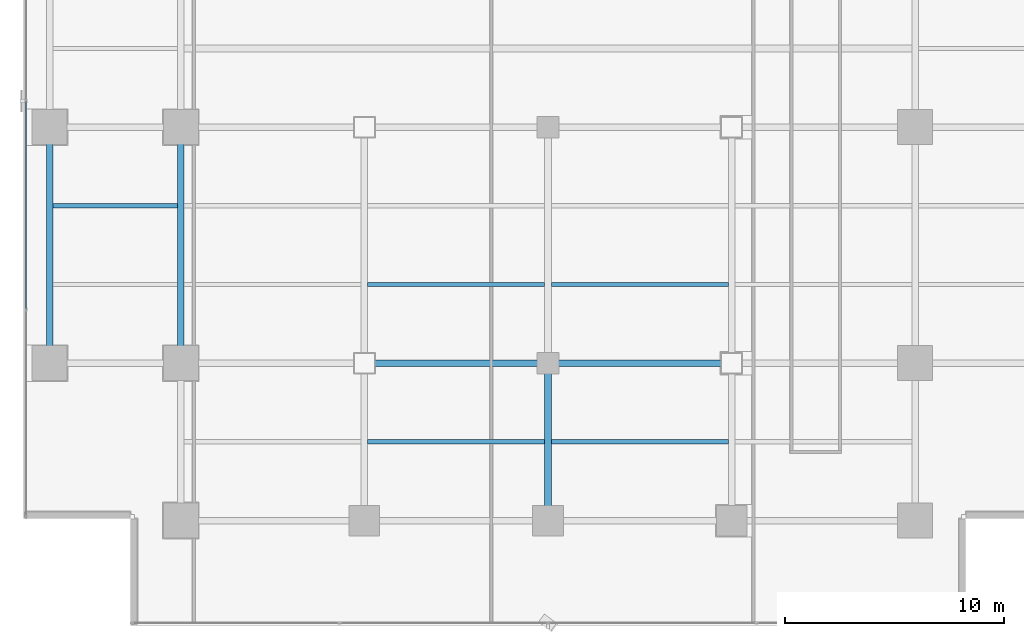
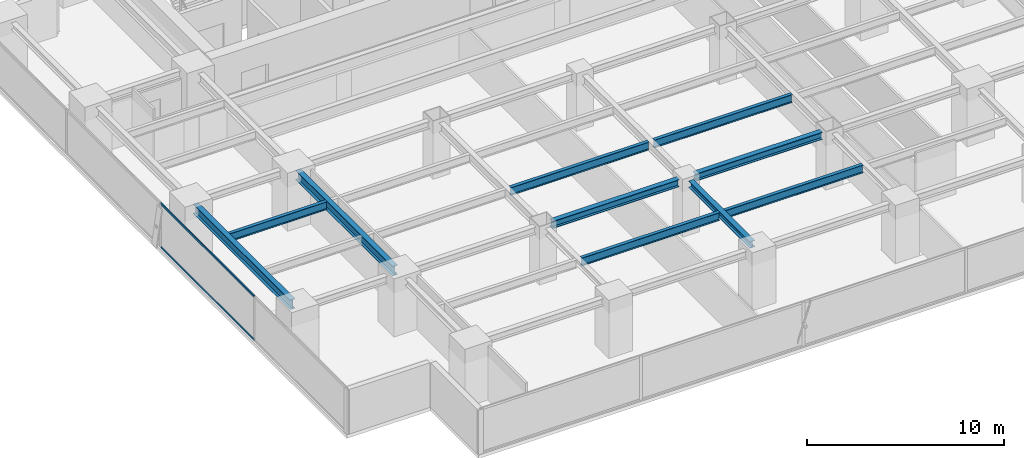
# One storey, part 6 of 27: 10 beams, 2 members, 1 element without a shape of its own.
"""IFC4 building model written with IfcOpenShell, lengths in metres."""

import ifcopenshell
import ifcopenshell.guid

model = None  # the IFC model being written
_history = None  # IfcOwnerHistory: only IFC2X3 demands one
_inside = {}  # id of a spatial element -> (the spatial element, [elements in it])
_under = {}  # id of a project, library or spatial element -> (it, [spatial elements below it])
_declared = {}  # id of a project -> (the project, [libraries it declares])
_typed = {}  # id of a type object -> (the type object, [elements of that type])
_made_of = {}  # id of a material, layer set ... -> (it, [elements and type objects made of it])


def new_model(schema):
    """Start an empty IFC model of exactly this schema.

    Asked for "IFC4X3", IfcOpenShell would pick the latest addendum, in which some entities
    have other attributes; the version numbers below select the first issue.
    IFC2X3 requires an IfcOwnerHistory on every rooted entity: one is made here for all.
    """
    global model, _history
    if schema == "IFC4X3":
        model = ifcopenshell.file(schema_version=(4, 3, 0, 0))
    else:
        model = ifcopenshell.file(schema=schema)
    _inside.clear()
    _under.clear()
    _declared.clear()
    _typed.clear()
    _made_of.clear()
    _history = None
    if model.schema == "IFC2X3":
        org = make("IfcOrganization", Name="unknown")
        user = make(
            "IfcPersonAndOrganization",
            ThePerson=make("IfcPerson", FamilyName="unknown"),
            TheOrganization=org,
        )
        app = make(
            "IfcApplication",
            ApplicationDeveloper=org,
            Version="unknown",
            ApplicationFullName="unknown",
            ApplicationIdentifier="unknown",
        )
        _history = make(
            "IfcOwnerHistory",
            OwningUser=user,
            OwningApplication=app,
            ChangeAction="ADDED",
            CreationDate=0,
        )
    return model


def make(cls, **values):
    """One entity of the class cls with the attributes given. An attribute that is None is left unset."""
    return model.create_entity(
        cls, **{name: value for name, value in values.items() if value is not None}
    )


def rooted(cls, **values):
    """An entity with a GlobalId (a new one), such as an element, a storey or a relation."""
    return make(cls, GlobalId=ifcopenshell.guid.new(), OwnerHistory=_history, **values)


def si_unit(unit_type, name, prefix=None):
    """IfcSIUnit, for example si_unit("LENGTHUNIT", "METRE", prefix="MILLI")."""
    return make("IfcSIUnit", UnitType=unit_type, Prefix=prefix, Name=name)


def assignment(units):
    """IfcUnitAssignment: the units of a project."""
    return None if units is None else make("IfcUnitAssignment", Units=units)


def point(xyz):
    """IfcCartesianPoint."""
    return None if xyz is None else make("IfcCartesianPoint", Coordinates=xyz)


def direction(xyz):
    """IfcDirection."""
    return None if xyz is None else make("IfcDirection", DirectionRatios=xyz)


def frame(location, z_axis=None, x_axis=None):
    """IfcAxis2Placement3D, a coordinate frame: its origin and axes. An axis left out is left unset."""
    return make(
        "IfcAxis2Placement3D",
        Location=point(location),
        Axis=direction(z_axis),
        RefDirection=direction(x_axis),
    )


def frame_2d(location, x_axis=None):
    """IfcAxis2Placement2D, a coordinate frame in the plane: its origin and x axis."""
    return make(
        "IfcAxis2Placement2D", Location=point(location), RefDirection=direction(x_axis)
    )


def origin():
    """The frame at (0, 0, 0) with its axes left unset."""
    return frame((0.0, 0.0, 0.0))


def origin_2d():
    """The frame at (0, 0) in the plane with its x axis left unset."""
    return frame_2d((0.0, 0.0))


def place(relative_to, where):
    """IfcLocalPlacement: puts the frame where relative to a parent placement (None: the world)."""
    return make(
        "IfcLocalPlacement", PlacementRelTo=relative_to, RelativePlacement=where
    )


def context(
    kind, dimensions, precision=None, world=None, true_north=None, identifier=None
):
    """IfcGeometricRepresentationContext, for example the 3D "Model" context."""
    return make(
        "IfcGeometricRepresentationContext",
        ContextIdentifier=identifier,
        ContextType=kind,
        CoordinateSpaceDimension=dimensions,
        Precision=precision,
        WorldCoordinateSystem=world,
        TrueNorth=true_north,
    )


def subcontext(parent, identifier, kind, view, scale=None):
    """IfcGeometricRepresentationSubContext, for example "Body" below "Model"."""
    return make(
        "IfcGeometricRepresentationSubContext",
        ContextIdentifier=identifier,
        ContextType=kind,
        ParentContext=parent,
        TargetScale=scale,
        TargetView=view,
    )


def project(units=None, contexts=None):
    """IfcProject with its units and contexts."""
    return rooted(
        "IfcProject",
        Name="project",
        RepresentationContexts=contexts,
        UnitsInContext=assignment(units),
    )


def spatial(cls, under=None, at=None, **own):
    """A site, building, storey or space (cls), placed at a placement, below another one or the project."""
    s = rooted(cls, ObjectPlacement=at, **own)
    if under is not None:
        _under.setdefault(under.id(), (under, []))[1].append(s)
    return s


def profile(cls, at=None, kind="AREA", **sizes):
    """A parametric profile (cls). Its sizes go by their IFC names, for example OverallWidth=200.0."""
    return make(cls, ProfileType=kind, Position=at, **sizes)


def hollow_rectangle(**sizes):
    """IfcRectangleHollowProfileDef."""
    return profile("IfcRectangleHollowProfileDef", **sizes)


def i_section(**sizes):
    """IfcIShapeProfileDef."""
    return profile("IfcIShapeProfileDef", **sizes)


def extrude(swept, where, along, depth):
    """IfcExtrudedAreaSolid: the profile swept, set in the frame where, extruded along a direction by depth."""
    return make(
        "IfcExtrudedAreaSolid",
        SweptArea=swept,
        Position=where,
        ExtrudedDirection=direction(along),
        Depth=depth,
    )


def shape(context_of_items, identifier, shape_type, items):
    """IfcShapeRepresentation: the items that make up one representation, for example the "Body"."""
    return make(
        "IfcShapeRepresentation",
        ContextOfItems=context_of_items,
        RepresentationIdentifier=identifier,
        RepresentationType=shape_type,
        Items=items,
    )


def source(mapping_origin, context_of_items, identifier, shape_type, items):
    """IfcRepresentationMap: a shape defined once, which mapped items show again and again."""
    return make(
        "IfcRepresentationMap",
        MappingOrigin=mapping_origin,
        MappedRepresentation=shape(context_of_items, identifier, shape_type, items),
    )


def transform(
    local_origin,
    x_axis=None,
    y_axis=None,
    z_axis=None,
    scale=None,
    scale2=None,
    scale3=None,
    uniform=True,
):
    """IfcCartesianTransformationOperator3D, or its non-uniform kind. x_axis, y_axis, z_axis: its Axis1, 2, 3."""
    if uniform:
        return make(
            "IfcCartesianTransformationOperator3D",
            Axis1=direction(x_axis),
            Axis2=direction(y_axis),
            LocalOrigin=point(local_origin),
            Scale=scale,
            Axis3=direction(z_axis),
        )
    return make(
        "IfcCartesianTransformationOperator3DnonUniform",
        Axis1=direction(x_axis),
        Axis2=direction(y_axis),
        LocalOrigin=point(local_origin),
        Scale=scale,
        Axis3=direction(z_axis),
        Scale2=scale2,
        Scale3=scale3,
    )


def mapped(mapping_source, mapping_target):
    """IfcMappedItem: shows the shape of a source again, moved by a transform."""
    return make(
        "IfcMappedItem", MappingSource=mapping_source, MappingTarget=mapping_target
    )


def material(Name=None, Category=None):
    """IfcMaterial."""
    return make("IfcMaterial", Name=Name, Category=Category)


def layer(
    of_material, thickness, ventilated=None, Name=None, Category=None, Priority=None
):
    """IfcMaterialLayer: one layer of a wall or slab, of a material (None: an air gap)."""
    return make(
        "IfcMaterialLayer",
        Material=of_material,
        LayerThickness=thickness,
        IsVentilated=ventilated,
        Name=Name,
        Category=Category,
        Priority=Priority,
    )


def layer_set(layers, Name=None):
    """IfcMaterialLayerSet."""
    return make("IfcMaterialLayerSet", MaterialLayers=layers, LayerSetName=Name)


def material_profile(
    of_material, cross_section, Name=None, Category=None, Priority=None
):
    """IfcMaterialProfile: a cross section and its material."""
    return make(
        "IfcMaterialProfile",
        Name=Name,
        Material=of_material,
        Profile=cross_section,
        Priority=Priority,
        Category=Category,
    )


def profile_set(profiles, Name=None, composite=None):
    """IfcMaterialProfileSet."""
    return make(
        "IfcMaterialProfileSet",
        Name=Name,
        MaterialProfiles=profiles,
        CompositeProfile=composite,
    )


def made_of(thing, what):
    """Note that an element or type object is made of a material, layer set ...; save() writes the relation."""
    if what is not None:
        _made_of.setdefault(what.id(), (what, []))[1].append(thing)
    return thing


def type_object(cls, material=None, **own):
    """A type object (cls), such as IfcWallType, which elements share."""
    return made_of(rooted(cls, **own), material)


def element(
    cls,
    number,
    at=None,
    inside=None,
    cuts=None,
    type_object=None,
    material=None,
    context=None,
    identifier="Body",
    shape_type=None,
    held_by="IfcProductDefinitionShape",
    body=None,
    shapes=None,
    **own,
):
    """One element of the class cls, such as IfcWall. Its Tag is "e" and its number.

    at: its placement. inside: the storey or other place that contains it. cuts: it is an
    opening in that element (IfcRelVoidsElement). A single representation is given by context,
    identifier, shape_type and body (its items); several are given by shapes. held_by: the class
    of the entity that holds the representations. save() writes the other relations.
    """
    e = rooted(cls, Tag="e%d" % number, ObjectPlacement=at, **own)
    if body is not None:
        shapes = [shape(context, identifier, shape_type, body)]
    if shapes is not None:
        e.Representation = make(held_by, Representations=shapes)
    if inside is not None:
        _inside.setdefault(inside.id(), (inside, []))[1].append(e)
    if cuts is not None:
        rooted(
            "IfcRelVoidsElement", RelatingBuildingElement=cuts, RelatedOpeningElement=e
        )
    if type_object is not None:
        _typed.setdefault(type_object.id(), (type_object, []))[1].append(e)
    return made_of(e, material)


def aggregate(whole, parts):
    """IfcRelAggregates: a whole, such as a stair, and the parts it consists of."""
    return rooted("IfcRelAggregates", RelatingObject=whole, RelatedObjects=parts)


def save(model, path):
    """Write the relations noted so far, then the file.

    IfcRelAggregates (storeys below a building ...), IfcRelContainedInSpatialStructure (elements
    in a storey), IfcRelDefinesByType, IfcRelAssociatesMaterial and IfcRelDeclares: one each for
    every whole, place, type object, material and project.
    """
    for whole, parts in _under.values():
        aggregate(whole, parts)
    for where, things in _inside.values():
        rooted(
            "IfcRelContainedInSpatialStructure",
            RelatedElements=things,
            RelatingStructure=where,
        )
    for kind, things in _typed.values():
        rooted("IfcRelDefinesByType", RelatedObjects=things, RelatingType=kind)
    for what, things in _made_of.values():
        rooted("IfcRelAssociatesMaterial", RelatedObjects=things, RelatingMaterial=what)
    for by, libraries in _declared.values():
        rooted("IfcRelDeclares", RelatingContext=by, RelatedDefinitions=libraries)
    model.write(path)


model = new_model("IFC4")

# Units and contexts
model_context = context("Model", 3, precision=1e-05, world=origin(), true_north=direction((0.0, 1.0)))
body_context = subcontext(model_context, "Body", "Model", "MODEL_VIEW")
ifc_project = project(units=[si_unit("LENGTHUNIT", "METRE"), si_unit("AREAUNIT", "SQUARE_METRE"), si_unit("VOLUMEUNIT", "CUBIC_METRE"), si_unit("PLANEANGLEUNIT", "RADIAN"), si_unit("MASSUNIT", "GRAM", prefix="KILO")], contexts=[model_context])

# Site, building, storey
site_placement = place(None, origin())
site = spatial("IfcSite", under=ifc_project, at=site_placement, CompositionType="ELEMENT")
building_placement = place(site_placement, origin())
building = spatial("IfcBuilding", under=site, at=building_placement, Name="Sumidabori Civic Tower", CompositionType="ELEMENT")
storey_placement = place(building_placement, frame((0.0, 0.0, 135.199951171875)))
storey = spatial("IfcBuildingStorey", under=building, at=storey_placement, Name="L34", CompositionType="ELEMENT", Elevation=135.199951171875)

# Beams
ifc_material_1 = material(Name="Steel SN490", Category="steel")
ifc_material_profile_1 = material_profile(ifc_material_1, i_section(OverallWidth=0.300048828125, OverallDepth=0.39990234375, WebThickness=0.013427734375, FlangeThickness=0.02392578125, at=origin_2d()), Name="HE 400 B")
ifc_profile_set_1 = profile_set([ifc_material_profile_1], Name="Steel SN490")
beam_type_1 = type_object("IfcBeamType", Name="BM-GIRD-400", PredefinedType="BEAM", material=ifc_profile_set_1)
shared_shape_1 = source(origin(), body_context, "Body", "SweptSolid", [
    extrude(i_section(OverallWidth=0.300048828125, OverallDepth=0.39990234375, WebThickness=0.013427734375, FlangeThickness=0.02392578125, at=origin_2d()), origin(), (0.0, 0.0, 1.0), 6.239990234375),
])
beam_1_placement = place(storey_placement, frame((0.0, -17.52001953125, 3.179931640625), z_axis=(0.0, 1.0, 0.0), x_axis=(-1.0, 0.0, 0.0)))
element("IfcBeam", 1, at=beam_1_placement, inside=storey, type_object=beam_type_1, Name="Primary Girder L34 GY-28", PredefinedType="BEAM", context=body_context, shape_type="MappedRepresentation", body=[
    mapped(shared_shape_1, transform((0.0, 0.0, 0.0), x_axis=(1.0, 0.0, 0.0), y_axis=(0.0, 1.0, 0.0), z_axis=(0.0, 0.0, 1.0), scale=1.0)),
])
ifc_material_profile_2 = material_profile(ifc_material_1, i_section(OverallWidth=0.300048828125, OverallDepth=0.60009765625, WebThickness=0.015380859375, FlangeThickness=0.030029296875, at=origin_2d()), Name="HE 600 B")
ifc_profile_set_2 = profile_set([ifc_material_profile_2], Name="Steel SN490")
beam_type_2 = type_object("IfcBeamType", Name="BM-GIRD-600", PredefinedType="BEAM", material=ifc_profile_set_2)
shared_shape_2 = source(origin(), body_context, "Body", "SweptSolid", [
    extrude(i_section(OverallWidth=0.300048828125, OverallDepth=0.60009765625, WebThickness=0.015380859375, FlangeThickness=0.030029296875, at=origin_2d()), origin(), (0.0, 0.0, 1.0), 9.840087890625),
])
for number, where, z_axis, x_axis, name in (
    (2, (-22.800048828125, -10.320068359375, 3.080078125), (0.0, 1.0, 0.0), (-1.0, 0.0, 0.0), "Primary Girder L34 GY-19"),
    (3, (-16.800048828125, -10.320068359375, 3.080078125), (0.0, 1.0, 0.0), (-1.0, 0.0, 0.0), "Primary Girder L34 GY-23"),
):
    element("IfcBeam", number, at=place(storey_placement, frame(where, z_axis=z_axis, x_axis=x_axis)), inside=storey, type_object=beam_type_2, Name=name, PredefinedType="BEAM", context=body_context, shape_type="MappedRepresentation", body=[
        mapped(shared_shape_2, transform((0.0, 0.0, 0.0), x_axis=(1.0, 0.0, 0.0), y_axis=(0.0, 1.0, 0.0), z_axis=(0.0, 0.0, 1.0), scale=1.0)),
    ])
ifc_material_profile_3 = material_profile(ifc_material_1, i_section(OverallWidth=0.199951171875, OverallDepth=0.5, WebThickness=0.01025390625, FlangeThickness=0.01611328125, at=origin_2d()), Name="IPE 500")
ifc_profile_set_3 = profile_set([ifc_material_profile_3], Name="Steel SN490")
beam_type_3 = type_object("IfcBeamType", Name="BM-JST-500", PredefinedType="JOIST", material=ifc_profile_set_3)
shared_shape_3 = source(origin(), body_context, "Body", "SweptSolid", [
    extrude(i_section(OverallWidth=0.199951171875, OverallDepth=0.5, WebThickness=0.01025390625, FlangeThickness=0.01611328125, at=origin_2d()), origin(), (0.0, 0.0, 1.0), 5.699951171875),
])
beam_2_placement = place(storey_placement, frame((-22.64990234375, -3.60009765625, 3.130126953125), z_axis=(1.0, 0.0, 0.0), x_axis=(0.0, 1.0, 0.0)))
element("IfcBeam", 4, at=beam_2_placement, inside=storey, type_object=beam_type_3, Name="Outer Bay Floor Joist L34 JSTO-41", PredefinedType="JOIST", context=body_context, shape_type="MappedRepresentation", body=[
    mapped(shared_shape_3, transform((0.0, 0.0, 0.0), x_axis=(1.0, 0.0, 0.0), y_axis=(0.0, 1.0, 0.0), z_axis=(0.0, 0.0, 1.0), scale=1.0)),
])
shared_shape_4 = source(origin(), body_context, "Body", "SweptSolid", [
    extrude(i_section(OverallWidth=0.199951171875, OverallDepth=0.5, WebThickness=0.01025390625, FlangeThickness=0.01611328125, at=origin_2d()), origin(), (0.0, 0.0, 1.0), 8.10009765625),
])
for number, where, z_axis, x_axis, name in (
    (5, (-8.25, -14.39990234375, 3.130126953125), (1.0, 0.0, 0.0), (0.0, 1.0, 0.0), "South Bay Floor Joist L34 JSTS-50"),
    (6, (0.14990234375, -14.39990234375, 3.130126953125), (1.0, 0.0, 0.0), (0.0, 1.0, 0.0), "South Bay Floor Joist L34 JSTS-51"),
    (7, (-8.25, -7.199951171875, 3.130126953125), (1.0, 0.0, 0.0), (0.0, 1.0, 0.0), "South Bay Floor Joist L34 JSTS-54"),
    (8, (0.14990234375, -7.199951171875, 3.130126953125), (1.0, 0.0, 0.0), (0.0, 1.0, 0.0), "South Bay Floor Joist L34 JSTS-55"),
):
    element("IfcBeam", number, at=place(storey_placement, frame(where, z_axis=z_axis, x_axis=x_axis)), inside=storey, type_object=beam_type_3, Name=name, PredefinedType="JOIST", context=body_context, shape_type="MappedRepresentation", body=[
        mapped(shared_shape_4, transform((0.0, 0.0, 0.0), x_axis=(1.0, 0.0, 0.0), y_axis=(0.0, 1.0, 0.0), z_axis=(0.0, 0.0, 1.0), scale=1.0)),
    ])
ifc_material_profile_4 = material_profile(ifc_material_1, i_section(OverallWidth=0.300048828125, OverallDepth=0.449951171875, WebThickness=0.013916015625, FlangeThickness=0.02587890625, at=origin_2d()), Name="HE 450 B")
ifc_profile_set_4 = profile_set([ifc_material_profile_4], Name="Steel SN490")
beam_type_4 = type_object("IfcBeamType", Name="BM-GIRD-450", PredefinedType="BEAM", material=ifc_profile_set_4)
shared_shape_5 = source(origin(), body_context, "Body", "SweptSolid", [
    extrude(i_section(OverallWidth=0.300048828125, OverallDepth=0.449951171875, WebThickness=0.013916015625, FlangeThickness=0.02587890625, at=origin_2d()), origin(), (0.0, 0.0, 1.0), 7.43994140625),
])
for number, where, z_axis, x_axis, name in (
    (9, (-7.919921875, -10.800048828125, 3.155029296875), (1.0, 0.0, 0.0), (0.0, 1.0, 0.0), "Primary Girder L34 GX-07"),
    (10, (0.47998046875, -10.800048828125, 3.155029296875), (1.0, 0.0, 0.0), (0.0, 1.0, 0.0), "Primary Girder L34 GX-08"),
):
    element("IfcBeam", number, at=place(storey_placement, frame(where, z_axis=z_axis, x_axis=x_axis)), inside=storey, type_object=beam_type_4, Name=name, PredefinedType="BEAM", context=body_context, shape_type="MappedRepresentation", body=[
        mapped(shared_shape_5, transform((0.0, 0.0, 0.0), x_axis=(1.0, 0.0, 0.0), y_axis=(0.0, 1.0, 0.0), z_axis=(0.0, 0.0, 1.0), scale=1.0)),
    ])

# Curtain wall, members
ifc_material_2 = material(Name="Anodised Bronze Aluminium AW-6063-T6", Category="aluminium")
ifc_layer = layer(ifc_material_2, 0.179931640625, Name="Anodised Bronze Aluminium AW-6063-T6")
ifc_layer_set = layer_set([ifc_layer], Name="Anodised Bronze Aluminium AW-6063-T6")
curtain_wall_type = type_object("IfcCurtainWallType", Name="CW-SYS-3", PredefinedType="NOTDEFINED", material=ifc_layer_set)
curtain_wall_placement = place(storey_placement, origin())
curtain_wall = element("IfcCurtainWall", 11, at=curtain_wall_placement, inside=storey, type_object=curtain_wall_type, Name="Curtain Wall CW:L34:R10", PredefinedType="NOTDEFINED")
ifc_material_profile_5 = material_profile(ifc_material_2, hollow_rectangle(XDim=0.06005859375, YDim=0.1298828125, WallThickness=0.0048828125, at=origin_2d()), Name="ALU TRANSOM 130x60")
ifc_profile_set_5 = profile_set([ifc_material_profile_5], Name="Anodised Bronze Aluminium AW-6063-T6")
member_type = type_object("IfcMemberType", Name="CW-TRN-130", PredefinedType="USERDEFINED", material=ifc_profile_set_5)
shared_shape_6 = source(origin(), body_context, "Body", "SweptSolid", [
    extrude(hollow_rectangle(XDim=0.06005859375, YDim=0.1298828125, WallThickness=0.0048828125, at=origin_2d()), origin(), (0.0, 0.0, 1.0), 9.469970703125),
])
member_1_placement = place(storey_placement, frame((-23.8798828125, 1.16748046875, 0.030029296875), z_axis=(0.0, -1.0, 0.0), x_axis=(1.0, 0.0, 0.0)))
member_1 = element("IfcMember", 12, at=member_1_placement, type_object=member_type, Name="CW-3 transom 3.1", ObjectType="TRANSOM", PredefinedType="USERDEFINED", context=body_context, shape_type="MappedRepresentation", body=[
    mapped(shared_shape_6, transform((0.0, 0.0, 0.0), x_axis=(1.0, 0.0, 0.0), y_axis=(0.0, 1.0, 0.0), z_axis=(0.0, 0.0, 1.0), scale=1.0)),
])
member_2_placement = place(storey_placement, frame((-23.8798828125, 1.16748046875, 2.72998046875), z_axis=(0.0, -1.0, 0.0), x_axis=(1.0, 0.0, 0.0)))
member_2 = element("IfcMember", 13, at=member_2_placement, type_object=member_type, Name="CW-3 transom 3.2", ObjectType="TRANSOM", PredefinedType="USERDEFINED", context=body_context, shape_type="MappedRepresentation", body=[
    mapped(shared_shape_6, transform((0.0, 0.0, 0.0), x_axis=(1.0, 0.0, 0.0), y_axis=(0.0, 1.0, 0.0), z_axis=(0.0, 0.0, 1.0), scale=1.0)),
])
aggregate(curtain_wall, [member_1, member_2])

save(model, "model.ifc")
